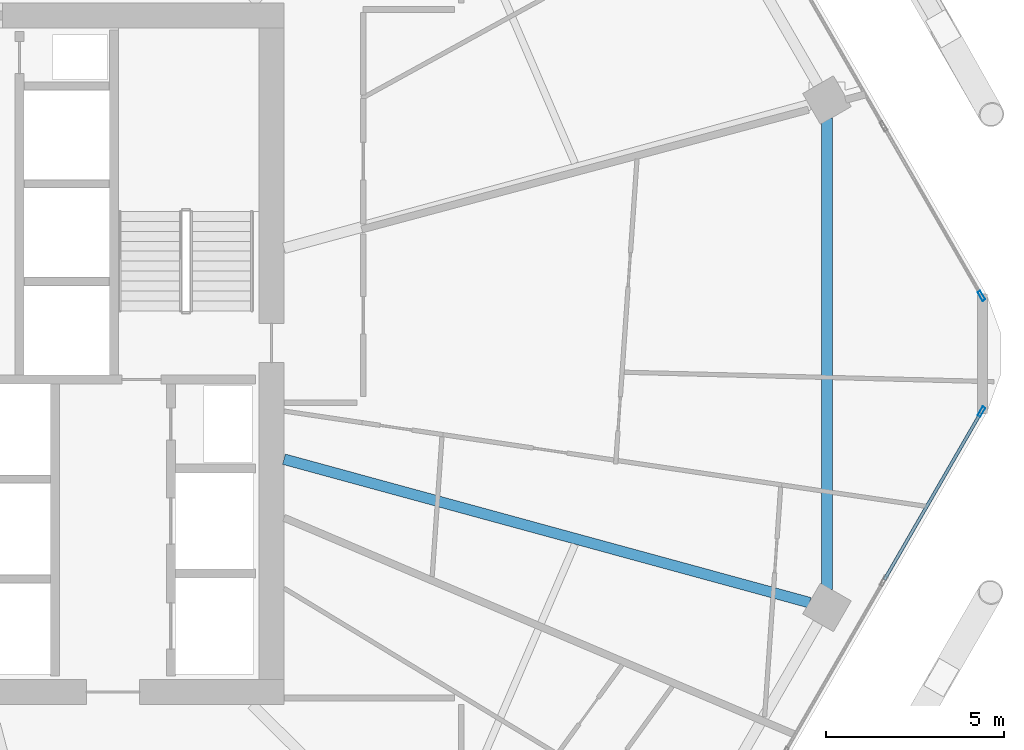
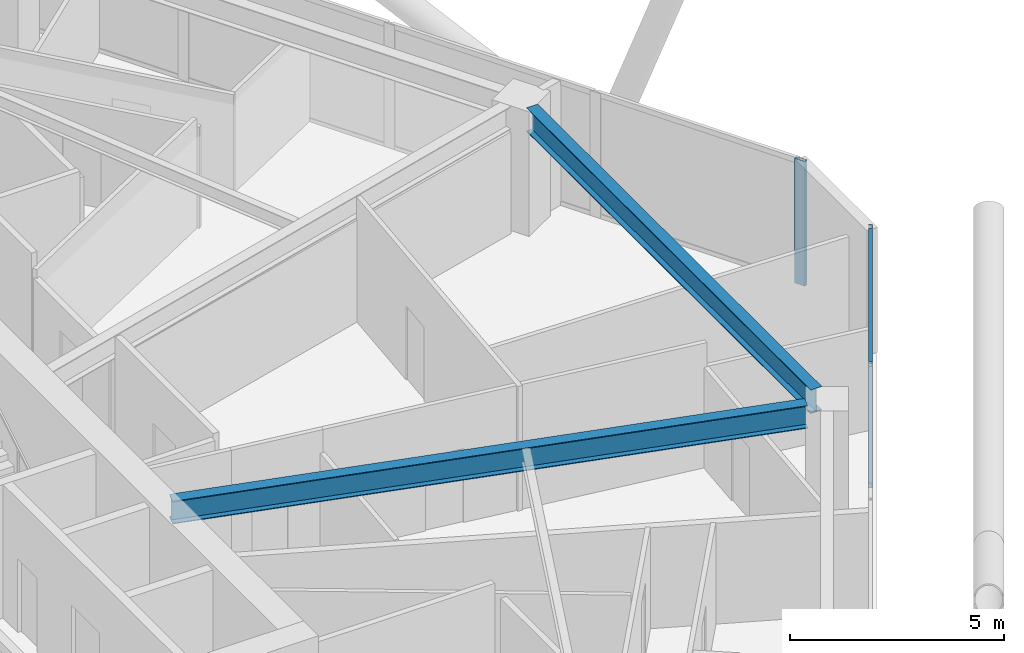
# One storey, part 10 of 29: 4 members, 2 beams, 2 elements without a shape of their own.
"""IFC4 building model written with IfcOpenShell, lengths in metres."""

from ifc_helpers import new_model, si_unit, direction, frame, origin, origin_2d, place, context, subcontext, project, spatial, hollow_rectangle, i_section, extrude, material, material_profile, profile_set, type_object, element, aggregate, save


model = new_model("IFC4")

# Units and contexts
model_context = context("Model", 3, precision=1e-05, world=origin(), true_north=direction((0.0, 1.0)))
body_context = subcontext(model_context, "Body", "Model", "MODEL_VIEW")
ifc_project = project(units=[si_unit("LENGTHUNIT", "METRE"), si_unit("AREAUNIT", "SQUARE_METRE"), si_unit("VOLUMEUNIT", "CUBIC_METRE"), si_unit("PLANEANGLEUNIT", "RADIAN"), si_unit("MASSUNIT", "GRAM", prefix="KILO")], contexts=[model_context])

# Site, building, storey
site_placement = place(None, origin())
site = spatial("IfcSite", under=ifc_project, at=site_placement, CompositionType="ELEMENT")
building_placement = place(site_placement, origin())
building = spatial("IfcBuilding", under=site, at=building_placement, Name="Zuhravey Tower", CompositionType="ELEMENT")
storey_placement = place(building_placement, frame((0.0, 0.0, 184.60009765625)))
storey = spatial("IfcBuildingStorey", under=building, at=storey_placement, Name="L46", CompositionType="ELEMENT", Elevation=184.60009765625)

# Curtain wall, member
ifc_material_1 = material(Name="Thermally broken anodised aluminium", Category="aluminium")
curtain_wall_type = type_object("IfcCurtainWallType", Name="Zone 1-2 Residential Curtain Wall CW3", PredefinedType="NOTDEFINED", material=ifc_material_1)
curtain_wall_1_placement = place(storey_placement, origin())
curtain_wall_1 = element("IfcCurtainWall", 1, at=curtain_wall_1_placement, inside=storey, type_object=curtain_wall_type, Name="L46 CW3 CW-L46-F6-1", PredefinedType="NOTDEFINED")
ifc_material_2 = material(Name="Anodised aluminium", Category="aluminium")
ifc_material_profile_1 = material_profile(ifc_material_2, hollow_rectangle(XDim=0.090087890625, YDim=0.284912109375, WallThickness=0.0048828125, at=origin_2d()), Name="ALU-RHS-90x285x5")
ifc_profile_set_1 = profile_set([ifc_material_profile_1], Name="Anodised aluminium")
member_type_1 = type_object("IfcMemberType", Name="Curtain-Wall Mullion 90x180", PredefinedType="MULLION", material=ifc_profile_set_1)
member_1_placement = place(storey_placement, frame((66.44921875, 30.37353515625, 0.0), z_axis=(0.0, 0.0, 1.0), x_axis=(0.866025138215, -0.500000459979, 0.0)))
member_1 = element("IfcMember", 2, at=member_1_placement, type_object=member_type_1, Name="CW3 mullion 1", PredefinedType="MULLION", context=body_context, shape_type="SweptSolid", body=[
    extrude(hollow_rectangle(XDim=0.090087890625, YDim=0.284912109375, WallThickness=0.0048828125, at=origin_2d()), origin(), (0.0, 0.0, 1.0), 3.5498046875),
])

curtain_wall_2_placement = place(storey_placement, origin())
curtain_wall_2 = element("IfcCurtainWall", 3, at=curtain_wall_2_placement, inside=storey, type_object=curtain_wall_type, Name="L46 CW3 CW-L46-F1-1", PredefinedType="NOTDEFINED")
member_2_placement = place(storey_placement, frame((66.44921875, 33.62646484375, 0.0), z_axis=(0.0, 0.0, 1.0), x_axis=(0.866025138215, 0.500000459979, 0.0)))
member_2 = element("IfcMember", 4, at=member_2_placement, type_object=member_type_1, Name="CW3 mullion 6", PredefinedType="MULLION", context=body_context, shape_type="SweptSolid", body=[
    extrude(hollow_rectangle(XDim=0.090087890625, YDim=0.284912109375, WallThickness=0.0048828125, at=origin_2d()), origin(), (0.0, 0.0, 1.0), 3.5498046875),
])
aggregate(curtain_wall_2, [member_2])

# Member
ifc_material_profile_2 = material_profile(ifc_material_2, hollow_rectangle(XDim=0.090087890625, YDim=0.14990234375, WallThickness=0.0048828125, at=origin_2d()), Name="ALU-RHS-90x150x5")
ifc_profile_set_2 = profile_set([ifc_material_profile_2], Name="Anodised aluminium")
member_type_2 = type_object("IfcMemberType", Name="Curtain-Wall Transom 90x150", PredefinedType="USERDEFINED", material=ifc_profile_set_2)
member_3_placement = place(storey_placement, frame((66.4267578125, 30.33447265625, 0.044921875), z_axis=(-0.499993332629, -0.866029253159, 0.0), x_axis=(0.866029253159, -0.499993332629, 0.0)))
member_3 = element("IfcMember", 5, at=member_3_placement, type_object=member_type_2, Name="CW3 transom 1.1", ObjectType="TRANSOM", PredefinedType="USERDEFINED", context=body_context, shape_type="SweptSolid", body=[
    extrude(hollow_rectangle(XDim=0.090087890625, YDim=0.14990234375, WallThickness=0.0048828125, at=origin_2d()), origin(), (0.0, 0.0, 1.0), 5.4091796875),
])

member_4_placement = place(storey_placement, frame((66.4267578125, 30.33447265625, 3.5048828125), z_axis=(-0.499993332629, -0.866029253159, 0.0), x_axis=(0.866029253159, -0.499993332629, 0.0)))
member_4 = element("IfcMember", 6, at=member_4_placement, type_object=member_type_2, Name="CW3 transom 1.2", ObjectType="TRANSOM", PredefinedType="USERDEFINED", context=body_context, shape_type="SweptSolid", body=[
    extrude(hollow_rectangle(XDim=0.090087890625, YDim=0.14990234375, WallThickness=0.0048828125, at=origin_2d()), origin(), (0.0, 0.0, 1.0), 5.4091796875),
])

aggregate(curtain_wall_1, [member_1, member_3, member_4])

# Beams
ifc_material_3 = material(Name="Steel SM355", Category="steel")
ifc_material_profile_3 = material_profile(ifc_material_3, i_section(OverallWidth=0.300048828125, OverallDepth=0.679931640625, WebThickness=0.012939453125, FlangeThickness=0.02197265625, at=origin_2d()), Name="H-680x300x13x22")
ifc_profile_set_3 = profile_set([ifc_material_profile_3], Name="Steel SM355")
beam_type_1 = type_object("IfcBeamType", Name="Perimeter Ring Beam H680x300", PredefinedType="BEAM", material=ifc_profile_set_3)
beam_1_placement = place(storey_placement, frame((62.107666015625, 25.37646484375, 3.2099609375), z_axis=(0.0, 1.0, 0.0), x_axis=(-1.0, 0.0, 0.0)))
element("IfcBeam", 7, at=beam_1_placement, inside=storey, type_object=beam_type_1, Name="L46 PB2 BM-L46-PB-12", PredefinedType="BEAM", context=body_context, shape_type="SweptSolid", body=[
    extrude(i_section(OverallWidth=0.300048828125, OverallDepth=0.679931640625, WebThickness=0.012939453125, FlangeThickness=0.02197265625, at=origin_2d()), origin(), (0.0, 0.0, 1.0), 13.2470703125),
])
ifc_material_profile_4 = material_profile(ifc_material_3, i_section(OverallWidth=0.300048828125, OverallDepth=0.64990234375, WebThickness=0.012939453125, FlangeThickness=0.02197265625, at=origin_2d()), Name="H-650x300x13x22")
ifc_profile_set_4 = profile_set([ifc_material_profile_4], Name="Steel SM355")
beam_type_2 = type_object("IfcBeamType", Name="Radial Primary Girder H650x300", PredefinedType="BEAM", material=ifc_profile_set_4)
beam_2_placement = place(storey_placement, frame((46.85302734375, 29.03759765625, 3.224853515625), z_axis=(0.964701601771, -0.263345437667, 0.0), x_axis=(0.263345437667, 0.964701601771, 0.0)))
element("IfcBeam", 8, at=beam_2_placement, inside=storey, type_object=beam_type_2, Name="L46 RG2 BM-L46-RAD-12", PredefinedType="BEAM", context=body_context, shape_type="SweptSolid", body=[
    extrude(i_section(OverallWidth=0.300048828125, OverallDepth=0.64990234375, WebThickness=0.012939453125, FlangeThickness=0.02197265625, at=origin_2d()), origin(), (0.0, 0.0, 1.0), 15.309814453125),
])

save(model, "model.ifc")
